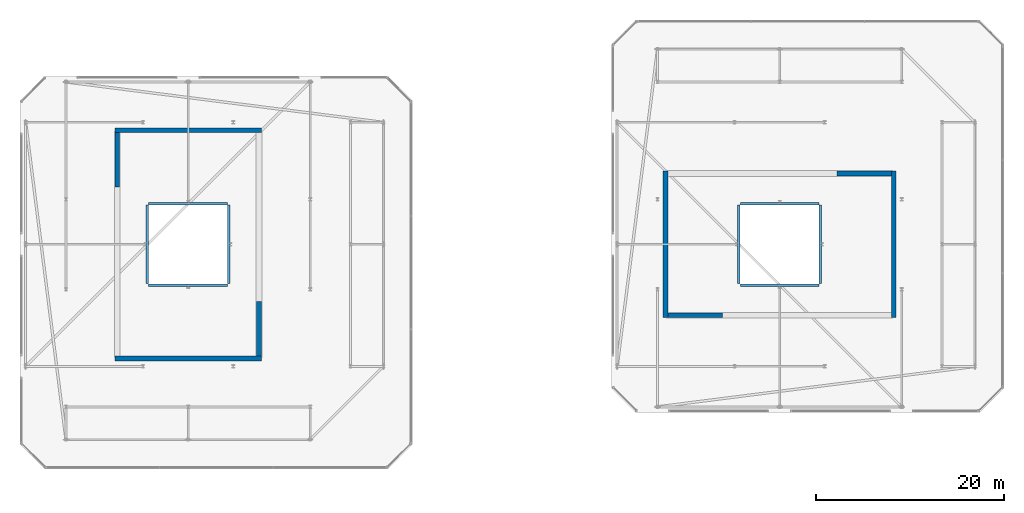
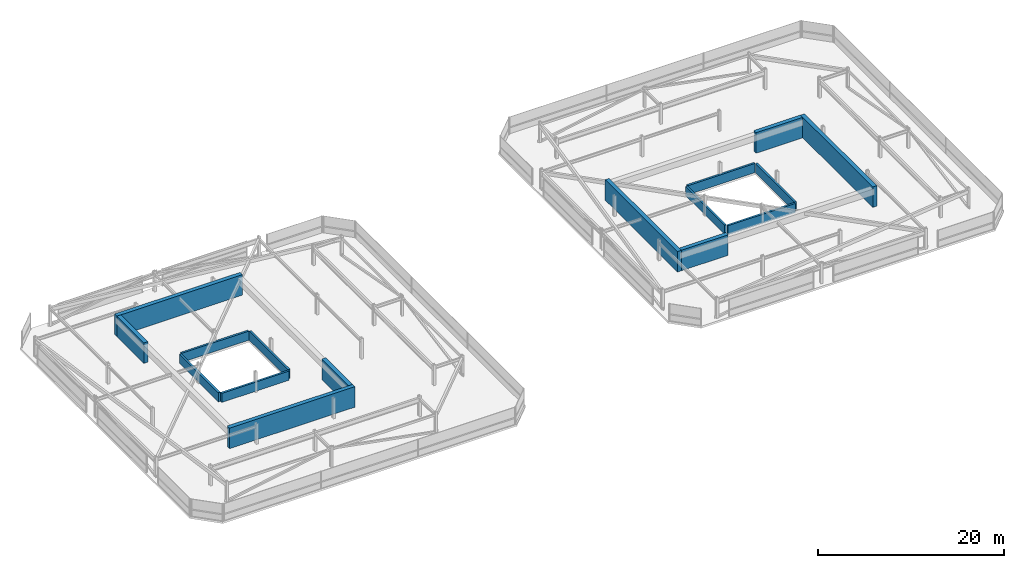
# One storey, part 44 of 44: 16 walls.
"""IFC4 building model written with IfcOpenShell, lengths in metres."""

from ifc_helpers import new_model, si_unit, direction, frame, frame_2d, origin, place, context, subcontext, project, spatial, rectangle, extrude, material, layer, layer_set, type_object, element, save


model = new_model("IFC4")

# Units and contexts
model_context = context("Model", 3, precision=1e-05, world=origin(), true_north=direction((0.0, 1.0)))
body_context = subcontext(model_context, "Body", "Model", "MODEL_VIEW")
ifc_project = project(units=[si_unit("LENGTHUNIT", "METRE"), si_unit("AREAUNIT", "SQUARE_METRE"), si_unit("VOLUMEUNIT", "CUBIC_METRE"), si_unit("PLANEANGLEUNIT", "RADIAN"), si_unit("MASSUNIT", "GRAM", prefix="KILO")], contexts=[model_context])

# Site, building, storey
site_placement = place(None, origin())
site = spatial("IfcSite", under=ifc_project, at=site_placement, CompositionType="ELEMENT")
building_placement = place(site_placement, origin())
building = spatial("IfcBuilding", under=site, at=building_placement, Name="Thornwick Lancets Civic Towers", CompositionType="ELEMENT")
storey_placement = place(building_placement, frame((0.0, 0.0, 292.199951171875)))
storey = spatial("IfcBuildingStorey", under=building, at=storey_placement, Name="C05", CompositionType="ELEMENT", Elevation=292.199951171875)

# Walls
ifc_material_1 = material(Name="Concrete C50/60", Category="concrete")
ifc_layer_1 = layer(ifc_material_1, 0.5, Name="Concrete C50/60")
ifc_layer_set_1 = layer_set([ifc_layer_1], Name="Concrete C50/60")
wall_type_1 = type_object("IfcWallType", Name="WALL_CORE_500", PredefinedType="SHEAR", material=ifc_layer_set_1)
wall_1_placement = place(storey_placement, frame((17.699951171875, 14.85009765625, 0.0), z_axis=(0.0, 0.0, 1.0), x_axis=(1.0, 0.0, 0.0)))
element("IfcWall", 1, at=wall_1_placement, inside=storey, type_object=wall_type_1, Name="C05 Split Core A1 Shear Wall S", PredefinedType="SHEAR", context=body_context, shape_type="SweptSolid", body=[
    extrude(rectangle(XDim=15.60009765625, YDim=0.5, at=frame_2d((7.800048828125, 0.0))), origin(), (0.0, 0.0, 1.0), 2.699951171875),
])
wall_2_placement = place(storey_placement, frame((33.050048828125, 15.10009765625, 0.0), z_axis=(0.0, 0.0, 1.0), x_axis=(0.0, 1.0, 0.0)))
element("IfcWall", 2, at=wall_2_placement, inside=storey, type_object=wall_type_1, Name="C05 Split Core A1 Shear Wall E", PredefinedType="SHEAR", context=body_context, shape_type="SweptSolid", body=[
    extrude(rectangle(XDim=5.7998046875, YDim=0.5, at=frame_2d((2.89990234375, 0.0))), origin(), (0.0, 0.0, 1.0), 2.699951171875),
])
wall_3_placement = place(storey_placement, frame((17.699951171875, 39.14990234375, 0.0), z_axis=(0.0, 0.0, 1.0), x_axis=(1.0, 0.0, 0.0)))
element("IfcWall", 3, at=wall_3_placement, inside=storey, type_object=wall_type_1, Name="C05 Split Core A2 Shear Wall N", PredefinedType="SHEAR", context=body_context, shape_type="SweptSolid", body=[
    extrude(rectangle(XDim=15.60009765625, YDim=0.5, at=frame_2d((7.800048828125, 0.0))), origin(), (0.0, 0.0, 1.0), 2.699951171875),
])
wall_4_placement = place(storey_placement, frame((17.949951171875, 33.10009765625, 0.0), z_axis=(0.0, 0.0, 1.0), x_axis=(0.0, 1.0, 0.0)))
element("IfcWall", 4, at=wall_4_placement, inside=storey, type_object=wall_type_1, Name="C05 Split Core A2 Shear Wall W", PredefinedType="SHEAR", context=body_context, shape_type="SweptSolid", body=[
    extrude(rectangle(XDim=5.7998046875, YDim=0.5, at=frame_2d((2.89990234375, 0.0))), origin(), (0.0, 0.0, 1.0), 2.699951171875),
])
wall_5_placement = place(storey_placement, frame((100.64990234375, 19.199951171875, 0.0), z_axis=(0.0, 0.0, 1.0), x_axis=(0.0, 1.0, 0.0)))
element("IfcWall", 5, at=wall_5_placement, inside=storey, type_object=wall_type_1, Name="C05 Split Core B1 Shear Wall E", PredefinedType="SHEAR", context=body_context, shape_type="SweptSolid", body=[
    extrude(rectangle(XDim=15.60009765625, YDim=0.5, at=frame_2d((7.800048828125, 0.0))), origin(), (0.0, 0.0, 1.0), 2.699951171875),
])
wall_6_placement = place(storey_placement, frame((94.60009765625, 34.550048828125, 0.0), z_axis=(0.0, 0.0, 1.0), x_axis=(1.0, 0.0, 0.0)))
element("IfcWall", 6, at=wall_6_placement, inside=storey, type_object=wall_type_1, Name="C05 Split Core B1 Shear Wall N", PredefinedType="SHEAR", context=body_context, shape_type="SweptSolid", body=[
    extrude(rectangle(XDim=5.7998046875, YDim=0.5, at=frame_2d((2.89990234375, 0.0))), origin(), (0.0, 0.0, 1.0), 2.699951171875),
])
wall_7_placement = place(storey_placement, frame((76.35009765625, 19.199951171875, 0.0), z_axis=(0.0, 0.0, 1.0), x_axis=(0.0, 1.0, 0.0)))
element("IfcWall", 7, at=wall_7_placement, inside=storey, type_object=wall_type_1, Name="C05 Split Core B2 Shear Wall W", PredefinedType="SHEAR", context=body_context, shape_type="SweptSolid", body=[
    extrude(rectangle(XDim=15.60009765625, YDim=0.5, at=frame_2d((7.800048828125, 0.0))), origin(), (0.0, 0.0, 1.0), 2.699951171875),
])
wall_8_placement = place(storey_placement, frame((76.60009765625, 19.449951171875, 0.0), z_axis=(0.0, 0.0, 1.0), x_axis=(1.0, 0.0, 0.0)))
element("IfcWall", 8, at=wall_8_placement, inside=storey, type_object=wall_type_1, Name="C05 Split Core B2 Shear Wall S", PredefinedType="SHEAR", context=body_context, shape_type="SweptSolid", body=[
    extrude(rectangle(XDim=5.7998046875, YDim=0.5, at=frame_2d((2.89990234375, 0.0))), origin(), (0.0, 0.0, 1.0), 2.699951171875),
])
ifc_material_2 = material(Name="Architectural terracotta parapet C40/50", Category="masonry")
ifc_layer_2 = layer(ifc_material_2, 0.25, Name="Architectural terracotta parapet C40/50")
ifc_layer_set_2 = layer_set([ifc_layer_2], Name="Architectural terracotta parapet C40/50")
wall_type_2 = type_object("IfcWallType", Name="WALL_PARAPET_250", PredefinedType="PARAPET", material=ifc_layer_set_2)
for number, where, z_axis, x_axis, name in (
    (9, (21.31005859375, 22.659912109375, 0.0), (0.0, 0.0, 1.0), (1.0, 0.0, 0.0), "C05 Tower A Crown Atrium Curb S"),
    (10, (29.68994140625, 31.340087890625, 0.0), (0.0, 0.0, 1.0), (-1.0, 0.0, 0.0), "C05 Tower A Crown Atrium Curb N"),
    (11, (21.159912109375, 31.18994140625, 0.0), (0.0, 0.0, 1.0), (0.0, -1.0, 0.0), "C05 Tower A Crown Atrium Curb W"),
    (12, (29.840087890625, 22.81005859375, 0.0), (0.0, 0.0, 1.0), (0.0, 1.0, 0.0), "C05 Tower A Crown Atrium Curb E"),
    (13, (84.31005859375, 22.659912109375, 0.0), (0.0, 0.0, 1.0), (1.0, 0.0, 0.0), "C05 Tower B Crown Atrium Curb S"),
    (14, (92.68994140625, 31.340087890625, 0.0), (0.0, 0.0, 1.0), (-1.0, 0.0, 0.0), "C05 Tower B Crown Atrium Curb N"),
    (15, (84.159912109375, 31.18994140625, 0.0), (0.0, 0.0, 1.0), (0.0, -1.0, 0.0), "C05 Tower B Crown Atrium Curb W"),
    (16, (92.840087890625, 22.81005859375, 0.0), (0.0, 0.0, 1.0), (0.0, 1.0, 0.0), "C05 Tower B Crown Atrium Curb E"),
):
    element("IfcWall", number, at=place(storey_placement, frame(where, z_axis=z_axis, x_axis=x_axis)), inside=storey, type_object=wall_type_2, Name=name, PredefinedType="PARAPET", context=body_context, shape_type="SweptSolid", body=[
        extrude(rectangle(XDim=8.3798828125, YDim=0.25, at=frame_2d((4.18994140625, 0.0))), origin(), (0.0, 0.0, 1.0), 1.199951171875),
    ])

save(model, "model.ifc")
